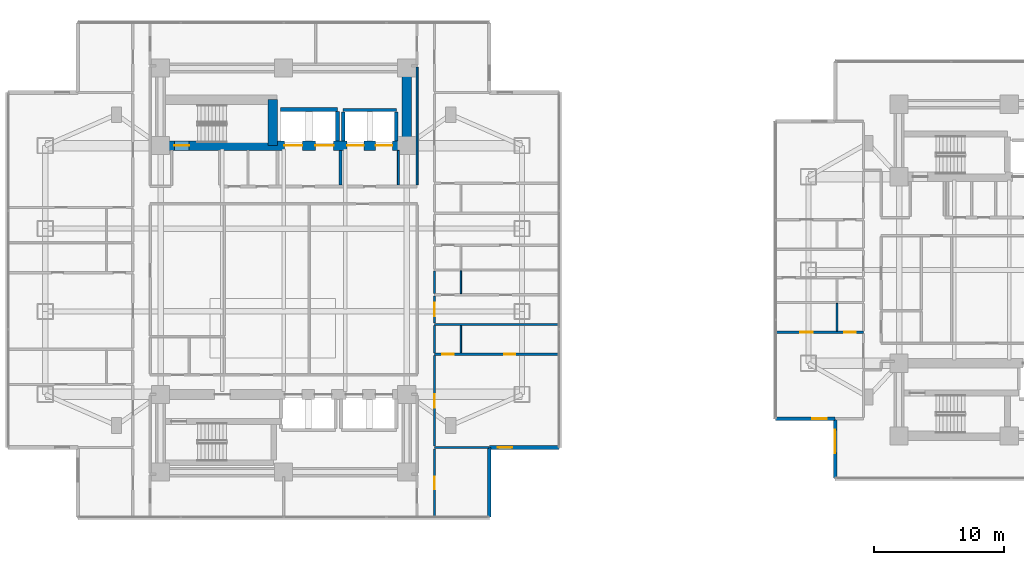
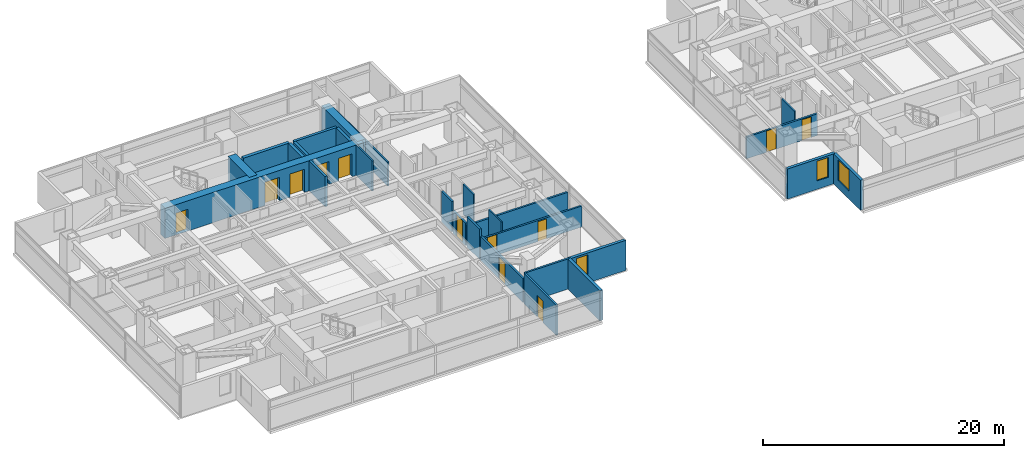
# One storey, part 14 of 26: 27 walls, 12 doors, 3 windows, 15 openings.
"""IFC4 building model written with IfcOpenShell, lengths in metres."""

from ifc_helpers import new_model, si_unit, direction, frame, frame_2d, origin, place, context, subcontext, project, spatial, rectangle, extrude, material, layer, layer_set, type_object, element, fill, save


model = new_model("IFC4")

# Units and contexts
model_context = context("Model", 3, precision=1e-05, world=origin(), true_north=direction((0.0, 1.0)))
body_context = subcontext(model_context, "Body", "Model", "MODEL_VIEW")
ifc_project = project(units=[si_unit("LENGTHUNIT", "METRE"), si_unit("AREAUNIT", "SQUARE_METRE"), si_unit("VOLUMEUNIT", "CUBIC_METRE"), si_unit("PLANEANGLEUNIT", "RADIAN"), si_unit("MASSUNIT", "GRAM", prefix="KILO")], contexts=[model_context])

# Site, building, storey
site_placement = place(None, origin())
site = spatial("IfcSite", under=ifc_project, at=site_placement, CompositionType="ELEMENT")
building_placement = place(site_placement, origin())
building = spatial("IfcBuilding", under=site, at=building_placement, Name="Mirazonda Arch Towers", CompositionType="ELEMENT")
storey_placement = place(building_placement, frame((0.0, 0.0, 25.699951171875)))
storey = spatial("IfcBuildingStorey", under=building, at=storey_placement, Name="L06", CompositionType="ELEMENT", Elevation=25.699951171875)

# Wall
ifc_material_1 = material(Name="Concrete C60/75", Category="concrete")
ifc_layer_1 = layer(ifc_material_1, 0.75, Name="WALL-CORE-750")
ifc_layer_set_1 = layer_set([ifc_layer_1], Name="Concrete C60/75")
wall_type_1 = type_object("IfcWallType", Name="WALL-CORE-750", PredefinedType="SHEAR", material=ifc_layer_set_1)
wall_1_placement = place(storey_placement, frame((30.0, 37.60009765625, 0.0), z_axis=(0.0, 0.0, 1.0), x_axis=(0.0, 1.0, 0.0)))
element("IfcWall", 1, at=wall_1_placement, inside=storey, type_object=wall_type_1, Name="L06 T1N-E Core Shear Wall", PredefinedType="SHEAR", context=body_context, shape_type="SweptSolid", body=[
    extrude(rectangle(XDim=6.0, YDim=0.75, at=frame_2d((3.0, 0.0))), origin(), (0.0, 0.0, 1.0), 3.06005859375),
])

# Wall, openings, doors
wall_2_placement = place(storey_placement, frame((11.0, 37.60009765625, 0.0), z_axis=(0.0, 0.0, 1.0), x_axis=(1.0, 0.0, 0.0)))
wall_2 = element("IfcWall", 2, at=wall_2_placement, inside=storey, type_object=wall_type_1, Name="L06 T1N-S Core Shear Wall", PredefinedType="SHEAR", context=body_context, shape_type="SweptSolid", body=[
    extrude(rectangle(XDim=19.0, YDim=0.75, at=frame_2d((9.5, 0.0))), origin(), (0.0, 0.0, 1.0), 3.06005859375),
])
opening_1_placement = place(wall_2_placement, frame((1.06005859375, 0.0, 0.0)))
opening_1 = element("IfcOpeningElement", 3, at=opening_1_placement, cuts=wall_2, Name="Opening DR-135", PredefinedType="OPENING", context=body_context, shape_type="SweptSolid", body=[
    extrude(rectangle(XDim=1.14990234375, YDim=2.199951171875, at=frame_2d((0.574951171875, 1.10009765625))), frame((0.0, 0.385009765625, 0.0), z_axis=(0.0, -1.0, 0.0), x_axis=(1.0, 0.0, 0.0)), (0.0, 0.0, 1.0), 0.77001953125),
])
opening_2_placement = place(wall_2_placement, frame((9.550048828125, 0.0, 0.0)))
opening_2 = element("IfcOpeningElement", 4, at=opening_2_placement, cuts=wall_2, Name="Opening LD-112", PredefinedType="OPENING", context=body_context, shape_type="SweptSolid", body=[
    extrude(rectangle(XDim=1.39990234375, YDim=2.35009765625, at=frame_2d((0.699951171875, 1.175048828125))), frame((0.0, 0.385009765625, 0.0), z_axis=(0.0, -1.0, 0.0), x_axis=(1.0, 0.0, 0.0)), (0.0, 0.0, 1.0), 0.77001953125),
])
opening_3_placement = place(wall_2_placement, frame((11.949951171875, 0.0, 0.0)))
opening_3 = element("IfcOpeningElement", 5, at=opening_3_placement, cuts=wall_2, Name="Opening LD-112", PredefinedType="OPENING", context=body_context, shape_type="SweptSolid", body=[
    extrude(rectangle(XDim=1.39990234375, YDim=2.35009765625, at=frame_2d((0.699951171875, 1.175048828125))), frame((0.0, 0.385009765625, 0.0), z_axis=(0.0, -1.0, 0.0), x_axis=(1.0, 0.0, 0.0)), (0.0, 0.0, 1.0), 0.77001953125),
])
opening_4_placement = place(wall_2_placement, frame((14.39990234375, 0.0, 0.0)))
opening_4 = element("IfcOpeningElement", 6, at=opening_4_placement, cuts=wall_2, Name="Opening LD-111", PredefinedType="OPENING", context=body_context, shape_type="SweptSolid", body=[
    extrude(rectangle(XDim=1.300048828125, YDim=2.300048828125, at=frame_2d((0.64990234375, 1.14990234375))), frame((0.0, 0.385009765625, 0.0), z_axis=(0.0, -1.0, 0.0), x_axis=(1.0, 0.0, 0.0)), (0.0, 0.0, 1.0), 0.77001953125),
])
opening_5_placement = place(wall_2_placement, frame((16.60009765625, 0.0, 0.0)))
opening_5 = element("IfcOpeningElement", 7, at=opening_5_placement, cuts=wall_2, Name="Opening LD-111", PredefinedType="OPENING", context=body_context, shape_type="SweptSolid", body=[
    extrude(rectangle(XDim=1.300048828125, YDim=2.300048828125, at=frame_2d((0.64990234375, 1.14990234375))), frame((0.0, 0.385009765625, 0.0), z_axis=(0.0, -1.0, 0.0), x_axis=(1.0, 0.0, 0.0)), (0.0, 0.0, 1.0), 0.77001953125),
])
ifc_material_2 = material(Name="Architectural Brushed Steel S355", Category="steel")
door_type_1 = type_object("IfcDoorType", Name="DOOR-LIFT-FFL-1400", OperationType="NOTDEFINED", PredefinedType="DOOR", material=ifc_material_2)
door_1_placement = place(opening_2_placement, origin())
door_1 = element("IfcDoor", 8, at=door_1_placement, inside=storey, type_object=door_type_1, Name="L06 Lift Landing Sliding Door FFL-T1", OperationType="DOUBLE_DOOR_SLIDING", OverallHeight=2.35009765625, OverallWidth=1.39990234375, PredefinedType="DOOR", context=body_context, shape_type="SweptSolid", body=[
    extrude(rectangle(XDim=1.39990234375, YDim=2.35009765625, at=frame_2d((0.699951171875, 1.175048828125))), frame((0.0, 0.02490234375, 0.0), z_axis=(0.0, -1.0, 0.0), x_axis=(1.0, 0.0, 0.0)), (0.0, 0.0, 1.0), 0.050048828125),
])
fill(opening_2, door_1)
door_2_placement = place(opening_3_placement, origin())
door_2 = element("IfcDoor", 9, at=door_2_placement, inside=storey, type_object=door_type_1, Name="L06 Lift Landing Sliding Door SVL-T1", OperationType="DOUBLE_DOOR_SLIDING", OverallHeight=2.35009765625, OverallWidth=1.39990234375, PredefinedType="DOOR", context=body_context, shape_type="SweptSolid", body=[
    extrude(rectangle(XDim=1.39990234375, YDim=2.35009765625, at=frame_2d((0.699951171875, 1.175048828125))), frame((0.0, 0.02490234375, 0.0), z_axis=(0.0, -1.0, 0.0), x_axis=(1.0, 0.0, 0.0)), (0.0, 0.0, 1.0), 0.050048828125),
])
fill(opening_3, door_2)
door_type_2 = type_object("IfcDoorType", Name="DOOR-LIFT-LAND-1300", OperationType="NOTDEFINED", PredefinedType="DOOR", material=ifc_material_2)
door_3_placement = place(opening_4_placement, origin())
door_3 = element("IfcDoor", 10, at=door_3_placement, inside=storey, type_object=door_type_2, Name="L06 Lift Landing Sliding Door PL-T1L1", OperationType="DOUBLE_DOOR_SLIDING", OverallHeight=2.300048828125, OverallWidth=1.300048828125, PredefinedType="DOOR", context=body_context, shape_type="SweptSolid", body=[
    extrude(rectangle(XDim=1.300048828125, YDim=2.300048828125, at=frame_2d((0.64990234375, 1.14990234375))), frame((0.0, 0.02490234375, 0.0), z_axis=(0.0, -1.0, 0.0), x_axis=(1.0, 0.0, 0.0)), (0.0, 0.0, 1.0), 0.050048828125),
])
fill(opening_4, door_3)
door_4_placement = place(opening_5_placement, origin())
door_4 = element("IfcDoor", 11, at=door_4_placement, inside=storey, type_object=door_type_2, Name="L06 Lift Landing Sliding Door PL-T1L2", OperationType="DOUBLE_DOOR_SLIDING", OverallHeight=2.300048828125, OverallWidth=1.300048828125, PredefinedType="DOOR", context=body_context, shape_type="SweptSolid", body=[
    extrude(rectangle(XDim=1.300048828125, YDim=2.300048828125, at=frame_2d((0.64990234375, 1.14990234375))), frame((0.0, 0.02490234375, 0.0), z_axis=(0.0, -1.0, 0.0), x_axis=(1.0, 0.0, 0.0)), (0.0, 0.0, 1.0), 0.050048828125),
])
fill(opening_5, door_4)
door_type_3 = type_object("IfcDoorType", Name="DOOR-STAIR-FD90-1150", OperationType="NOTDEFINED", PredefinedType="DOOR", material=ifc_material_2)
door_5_placement = place(opening_1_placement, origin())
door_5 = element("IfcDoor", 12, at=door_5_placement, inside=storey, type_object=door_type_3, Name="L06 Protected Exit Stair North Door", OperationType="SINGLE_SWING_LEFT", OverallHeight=2.199951171875, OverallWidth=1.14990234375, PredefinedType="DOOR", context=body_context, shape_type="SweptSolid", body=[
    extrude(rectangle(XDim=1.14990234375, YDim=2.199951171875, at=frame_2d((0.574951171875, 1.10009765625))), frame((0.0, 0.02490234375, 0.0), z_axis=(0.0, -1.0, 0.0), x_axis=(1.0, 0.0, 0.0)), (0.0, 0.0, 1.0), 0.050048828125),
])
fill(opening_1, door_5)

# Wall
wall_3_placement = place(storey_placement, frame((19.64990234375, 37.60009765625, 0.0), z_axis=(0.0, 0.0, 1.0), x_axis=(0.0, 1.0, 0.0)))
element("IfcWall", 13, at=wall_3_placement, inside=storey, type_object=wall_type_1, Name="L06 T1N-STE Core Shear Wall", PredefinedType="SHEAR", context=body_context, shape_type="SweptSolid", body=[
    extrude(rectangle(XDim=3.54296875, YDim=0.75, at=frame_2d((1.771484375, 0.0))), origin(), (0.0, 0.0, 1.0), 3.06005859375),
])

# Wall, opening, window
ifc_material_3 = material(Name="Precast Concrete C40/50", Category="concrete")
ifc_layer_2 = layer(ifc_material_3, 0.280029296875, Name="WALL-EXT-WALL-280")
ifc_layer_set_2 = layer_set([ifc_layer_2], Name="Precast Concrete C40/50")
wall_type_2 = type_object("IfcWallType", Name="WALL-EXT-WALL-280", PredefinedType="SOLIDWALL", material=ifc_layer_set_2)
wall_4_placement = place(storey_placement, frame((36.3798828125, 14.302001953125, 0.0), z_axis=(0.0, 0.0, 1.0), x_axis=(1.0, 0.0, 0.0)))
wall_4 = element("IfcWall", 14, at=wall_4_placement, inside=storey, type_object=wall_type_2, Name="L06 T1 Corner Notch Return Wall WL-L06-T1-CSE1", PredefinedType="SOLIDWALL", context=body_context, shape_type="SweptSolid", body=[
    extrude(rectangle(XDim=5.380126953125, YDim=0.280029296875, at=frame_2d((2.68994140625, 0.0))), origin(), (0.0, 0.0, 1.0), 3.0400390625),
])
opening_6_placement = place(wall_4_placement, frame((0.64990234375, 0.0, 0.85009765625)))
opening_6 = element("IfcOpeningElement", 15, at=opening_6_placement, cuts=wall_4, Name="Opening WN-108", PredefinedType="OPENING", context=body_context, shape_type="SweptSolid", body=[
    extrude(rectangle(XDim=1.10009765625, YDim=2.0, at=frame_2d((0.550048828125, 1.0))), frame((0.0, 0.14990234375, 0.0), z_axis=(0.0, -1.0, 0.0), x_axis=(1.0, 0.0, 0.0)), (0.0, 0.0, 1.0), 0.300048828125),
])
ifc_material_4 = material(Name="Insulated Low-E Solar Glass", Category="glass")
window_type_1 = type_object("IfcWindowType", Name="WIN-NOTCH-1100x2000", PartitioningType="SINGLE_PANEL", PredefinedType="WINDOW", material=ifc_material_4)
window_1_placement = place(opening_6_placement, origin())
window_1 = element("IfcWindow", 16, at=window_1_placement, inside=storey, type_object=window_type_1, Name="L06 Punched Facade Window WN-L06-T1-CSE1", OverallHeight=2.0, OverallWidth=1.10009765625, PartitioningType="SINGLE_PANEL", PredefinedType="WINDOW", context=body_context, shape_type="SweptSolid", body=[
    extrude(rectangle(XDim=1.10009765625, YDim=2.0, at=frame_2d((0.550048828125, 1.0))), frame((0.0, 0.030029296875, 0.0), z_axis=(0.0, -1.0, 0.0), x_axis=(1.0, 0.0, 0.0)), (0.0, 0.0, 1.0), 0.06005859375),
])
fill(opening_6, window_1)

# Wall
wall_5_placement = place(storey_placement, frame((36.3798828125, 8.922119140625, 0.0), z_axis=(0.0, 0.0, 1.0), x_axis=(0.0, 1.0, 0.0)))
element("IfcWall", 17, at=wall_5_placement, inside=storey, type_object=wall_type_2, Name="L06 T1 Corner Notch Return Wall WL-L06-T1-CSE2", PredefinedType="SOLIDWALL", context=body_context, shape_type="SweptSolid", body=[
    extrude(rectangle(XDim=5.3798828125, YDim=0.280029296875, at=frame_2d((2.68994140625, 0.0))), origin(), (0.0, 0.0, 1.0), 3.0400390625),
])

# Wall, opening, window
wall_6_placement = place(storey_placement, frame((63.06201171875, 16.5166015625, 0.0), z_axis=(0.0, 0.0, 1.0), x_axis=(0.0, -1.0, 0.0)))
wall_6 = element("IfcWall", 18, at=wall_6_placement, inside=storey, type_object=wall_type_2, Name="L06 T2 Notched SW Corner Wall WL-L06-T2-CSW", PredefinedType="SOLIDWALL", context=body_context, shape_type="SweptSolid", body=[
    extrude(rectangle(XDim=4.579833984375, YDim=0.280029296875, at=frame_2d((2.2900390625, 0.0))), origin(), (0.0, 0.0, 1.0), 3.0400390625),
])
opening_7_placement = place(wall_6_placement, frame((0.85009765625, 0.0, 0.7900390625)))
opening_7 = element("IfcOpeningElement", 19, at=opening_7_placement, cuts=wall_6, Name="Opening WN-116", PredefinedType="OPENING", context=body_context, shape_type="SweptSolid", body=[
    extrude(rectangle(XDim=1.800048828125, YDim=2.10009765625, at=frame_2d((0.89990234375, 1.050048828125))), frame((0.0, 0.14990234375, 0.0), z_axis=(0.0, -1.0, 0.0), x_axis=(1.0, 0.0, 0.0)), (0.0, 0.0, 1.0), 0.300048828125),
])
window_type_2 = type_object("IfcWindowType", Name="WIN-HTL-1800x2100", PartitioningType="SINGLE_PANEL", PredefinedType="WINDOW", material=ifc_material_4)
window_2_placement = place(opening_7_placement, origin())
window_2 = element("IfcWindow", 20, at=window_2_placement, inside=storey, type_object=window_type_2, Name="L06 Punched Facade Window WN-L06-T2-CSW", OverallHeight=2.10009765625, OverallWidth=1.800048828125, PartitioningType="SINGLE_PANEL", PredefinedType="WINDOW", context=body_context, shape_type="SweptSolid", body=[
    extrude(rectangle(XDim=1.800048828125, YDim=2.10009765625, at=frame_2d((0.89990234375, 1.050048828125))), frame((0.0, 0.030029296875, 0.0), z_axis=(0.0, -1.0, 0.0), x_axis=(1.0, 0.0, 0.0)), (0.0, 0.0, 1.0), 0.06005859375),
])
fill(opening_7, window_2)

wall_7_placement = place(storey_placement, frame((58.48193359375, 16.5166015625, 0.0), z_axis=(0.0, 0.0, 1.0), x_axis=(1.0, 0.0, 0.0)))
wall_7 = element("IfcWall", 21, at=wall_7_placement, inside=storey, type_object=wall_type_2, Name="L06 T2 Corner Notch Return Wall WL-L06-T2-CSW2", PredefinedType="SOLIDWALL", context=body_context, shape_type="SweptSolid", body=[
    extrude(rectangle(XDim=4.580078125, YDim=0.280029296875, at=frame_2d((2.2900390625, 0.0))), origin(), (0.0, 0.0, 1.0), 3.0400390625),
])
opening_8_placement = place(wall_7_placement, frame((2.830078125, 0.0, 0.85009765625)))
opening_8 = element("IfcOpeningElement", 22, at=opening_8_placement, cuts=wall_7, Name="Opening WN-108", PredefinedType="OPENING", context=body_context, shape_type="SweptSolid", body=[
    extrude(rectangle(XDim=1.10009765625, YDim=2.0, at=frame_2d((0.550048828125, 1.0))), frame((0.0, 0.14990234375, 0.0), z_axis=(0.0, -1.0, 0.0), x_axis=(1.0, 0.0, 0.0)), (0.0, 0.0, 1.0), 0.300048828125),
])
window_3_placement = place(opening_8_placement, origin())
window_3 = element("IfcWindow", 23, at=window_3_placement, inside=storey, type_object=window_type_1, Name="L06 Punched Facade Window WN-L06-T2-CSW2", OverallHeight=2.0, OverallWidth=1.10009765625, PartitioningType="SINGLE_PANEL", PredefinedType="WINDOW", context=body_context, shape_type="SweptSolid", body=[
    extrude(rectangle(XDim=1.10009765625, YDim=2.0, at=frame_2d((0.550048828125, 1.0))), frame((0.0, 0.030029296875, 0.0), z_axis=(0.0, -1.0, 0.0), x_axis=(1.0, 0.0, 0.0)), (0.0, 0.0, 1.0), 0.06005859375),
])
fill(opening_8, window_3)

# Walls
ifc_material_5 = material(Name="Concrete C40/50", Category="concrete")
ifc_layer_3 = layer(ifc_material_5, 0.219970703125, Name="WALL-FFL-220")
ifc_layer_set_3 = layer_set([ifc_layer_3], Name="Concrete C40/50")
wall_type_3 = type_object("IfcWallType", Name="WALL-FFL-220", PredefinedType="SOLIDWALL", material=ifc_layer_set_3)
wall_8_placement = place(storey_placement, frame((24.875, 34.570068359375, 0.0), z_axis=(0.0, 0.0, 1.0), x_axis=(0.0, 1.0, 0.0)))
element("IfcWall", 24, at=wall_8_placement, inside=storey, type_object=wall_type_3, Name="L06 Interior Partition 096", PredefinedType="SOLIDWALL", context=body_context, shape_type="SweptSolid", body=[
    extrude(rectangle(XDim=2.659912109375, YDim=0.219970703125, at=frame_2d((1.330078125, 0.0))), origin(), (0.0, 0.0, 1.0), 3.06005859375),
])
ifc_material_6 = material(Name="Fire-Rated Gypsum Stud Partition")
ifc_layer_4 = layer(ifc_material_6, 0.14990234375, Name="WALL-PART-CORR-150")
ifc_layer_set_4 = layer_set([ifc_layer_4], Name="Fire-Rated Gypsum Stud Partition")
wall_type_4 = type_object("IfcWallType", Name="WALL-PART-CORR-150", PredefinedType="PARTITIONING", material=ifc_layer_set_4)
wall_9_placement = place(storey_placement, frame((29.35009765625, 34.570068359375, 0.0), z_axis=(0.0, 0.0, 1.0), x_axis=(0.0, 1.0, 0.0)))
element("IfcWall", 25, at=wall_9_placement, inside=storey, type_object=wall_type_4, Name="L06 Interior Partition 099", PredefinedType="PARTITIONING", context=body_context, shape_type="SweptSolid", body=[
    extrude(rectangle(XDim=2.659912109375, YDim=0.14990234375, at=frame_2d((1.330078125, 0.0))), origin(), (0.0, 0.0, 1.0), 3.06005859375),
])
wall_10_placement = place(storey_placement, frame((30.800048828125, 34.570068359375, 0.0), z_axis=(0.0, 0.0, 1.0), x_axis=(0.0, 1.0, 0.0)))
element("IfcWall", 26, at=wall_10_placement, inside=storey, type_object=wall_type_4, Name="L06 Interior Partition 104", PredefinedType="PARTITIONING", context=body_context, shape_type="SweptSolid", body=[
    extrude(rectangle(XDim=9.094970703125, YDim=0.14990234375, at=frame_2d((4.54736328125, 0.0))), origin(), (0.0, 0.0, 1.0), 2.43603515625),
])
ifc_material_7 = material(Name="Fire-Rated Gypsum Twin-Stud Assembly")
ifc_layer_5 = layer(ifc_material_7, 0.179931640625, Name="WALL-PART-DEMISE-180")
ifc_layer_set_5 = layer_set([ifc_layer_5], Name="Fire-Rated Gypsum Twin-Stud Assembly")
wall_type_5 = type_object("IfcWallType", Name="WALL-PART-DEMISE-180", PredefinedType="PARTITIONING", material=ifc_layer_set_5)
wall_11_placement = place(storey_placement, frame((32.139892578125, 14.302001953125, 0.0), z_axis=(0.0, 0.0, 1.0), x_axis=(1.0, 0.0, 0.0)))
element("IfcWall", 27, at=wall_11_placement, inside=storey, type_object=wall_type_5, Name="L06 Interior Partition 005", PredefinedType="PARTITIONING", context=body_context, shape_type="SweptSolid", body=[
    extrude(rectangle(XDim=4.22021484375, YDim=0.179931640625, at=frame_2d((2.110107421875, 0.0))), origin(), (0.0, 0.0, 1.0), 3.06005859375),
])

# Wall, openings, doors
wall_12_placement = place(storey_placement, frame((32.139892578125, 21.4990234375, 0.0), z_axis=(0.0, 0.0, 1.0), x_axis=(1.0, 0.0, 0.0)))
wall_12 = element("IfcWall", 28, at=wall_12_placement, inside=storey, type_object=wall_type_5, Name="L06 Interior Partition 021", PredefinedType="PARTITIONING", context=body_context, shape_type="SweptSolid", body=[
    extrude(rectangle(XDim=9.6201171875, YDim=0.179931640625, at=frame_2d((4.81005859375, 0.0))), origin(), (0.0, 0.0, 1.0), 2.125),
])
opening_9_placement = place(wall_12_placement, frame((5.385009765625, 0.0, 0.0)))
opening_9 = element("IfcOpeningElement", 29, at=opening_9_placement, cuts=wall_12, Name="Opening DR-128", PredefinedType="OPENING", context=body_context, shape_type="SweptSolid", body=[
    extrude(rectangle(XDim=0.85009765625, YDim=2.010009765625, at=frame_2d((0.425048828125, 1.0048828125))), frame((0.0, 0.099853515625, 0.0), z_axis=(0.0, -1.0, 0.0), x_axis=(1.0, 0.0, 0.0)), (0.0, 0.0, 1.0), 0.199951171875),
])
opening_10_placement = place(wall_12_placement, frame((0.590087890625, 0.0, 0.0)))
opening_10 = element("IfcOpeningElement", 30, at=opening_10_placement, cuts=wall_12, Name="Opening DR-120", PredefinedType="OPENING", context=body_context, shape_type="SweptSolid", body=[
    extrude(rectangle(XDim=0.89990234375, YDim=2.10009765625, at=frame_2d((0.449951171875, 1.050048828125))), frame((0.0, 0.099853515625, 0.0), z_axis=(0.0, -1.0, 0.0), x_axis=(1.0, 0.0, 0.0)), (0.0, 0.0, 1.0), 0.199951171875),
])
door_type_4 = type_object("IfcDoorType", Name="DOOR-RISER-FD60-850", OperationType="NOTDEFINED", PredefinedType="DOOR", material=ifc_material_2)
door_6_placement = place(opening_9_placement, origin())
door_6 = element("IfcDoor", 31, at=door_6_placement, inside=storey, type_object=door_type_4, Name="L06 Suite Bedroom 1 Door", OperationType="SINGLE_SWING_LEFT", OverallHeight=2.010009765625, OverallWidth=0.85009765625, PredefinedType="DOOR", context=body_context, shape_type="SweptSolid", body=[
    extrude(rectangle(XDim=0.85009765625, YDim=2.010009765625, at=frame_2d((0.425048828125, 1.0048828125))), frame((0.0, 0.02490234375, 0.0), z_axis=(0.0, -1.0, 0.0), x_axis=(1.0, 0.0, 0.0)), (0.0, 0.0, 1.0), 0.050048828125),
])
fill(opening_9, door_6)
door_type_5 = type_object("IfcDoorType", Name="DOOR-WC-900", OperationType="NOTDEFINED", PredefinedType="DOOR", material=ifc_material_2)
door_7_placement = place(opening_10_placement, origin())
door_7 = element("IfcDoor", 32, at=door_7_placement, inside=storey, type_object=door_type_5, Name="L06 Suite En-Suite Bathroom 1 Door", OperationType="SINGLE_SWING_RIGHT", OverallHeight=2.10009765625, OverallWidth=0.89990234375, PredefinedType="DOOR", context=body_context, shape_type="SweptSolid", body=[
    extrude(rectangle(XDim=0.89990234375, YDim=2.10009765625, at=frame_2d((0.449951171875, 1.050048828125))), frame((0.0, 0.02490234375, 0.0), z_axis=(0.0, -1.0, 0.0), x_axis=(1.0, 0.0, 0.0)), (0.0, 0.0, 1.0), 0.050048828125),
])
fill(opening_10, door_7)

wall_13_placement = place(storey_placement, frame((58.48193359375, 23.19189453125, 0.0), z_axis=(0.0, 0.0, 1.0), x_axis=(1.0, 0.0, 0.0)))
wall_13 = element("IfcWall", 33, at=wall_13_placement, inside=storey, type_object=wall_type_5, Name="L06 Interior Partition 025", PredefinedType="PARTITIONING", context=body_context, shape_type="SweptSolid", body=[
    extrude(rectangle(XDim=6.76806640625, YDim=0.179931640625, at=frame_2d((3.384033203125, 0.0))), origin(), (0.0, 0.0, 1.0), 2.196044921875),
])
opening_11_placement = place(wall_13_placement, frame((1.908935546875, 0.0, 0.0)))
opening_11 = element("IfcOpeningElement", 34, at=opening_11_placement, cuts=wall_13, Name="Opening DR-104", PredefinedType="OPENING", context=body_context, shape_type="SweptSolid", body=[
    extrude(rectangle(XDim=0.949951171875, YDim=2.14990234375, at=frame_2d((0.47509765625, 1.074951171875))), frame((0.0, 0.099853515625, 0.0), z_axis=(0.0, -1.0, 0.0), x_axis=(1.0, 0.0, 0.0)), (0.0, 0.0, 1.0), 0.199951171875),
])
opening_12_placement = place(wall_13_placement, frame((5.278076171875, 0.0, 0.0)))
opening_12 = element("IfcOpeningElement", 35, at=opening_12_placement, cuts=wall_13, Name="Opening DR-120", PredefinedType="OPENING", context=body_context, shape_type="SweptSolid", body=[
    extrude(rectangle(XDim=0.89990234375, YDim=2.10009765625, at=frame_2d((0.449951171875, 1.050048828125))), frame((0.0, 0.099853515625, 0.0), z_axis=(0.0, -1.0, 0.0), x_axis=(1.0, 0.0, 0.0)), (0.0, 0.0, 1.0), 0.199951171875),
])
door_type_6 = type_object("IfcDoorType", Name="DOOR-ROOM-950", OperationType="NOTDEFINED", PredefinedType="DOOR", material=ifc_material_2)
door_8_placement = place(opening_11_placement, origin())
door_8 = element("IfcDoor", 36, at=door_8_placement, inside=storey, type_object=door_type_6, Name="L06 Guestroom Study 1 Door", OperationType="SINGLE_SWING_RIGHT", OverallHeight=2.14990234375, OverallWidth=0.949951171875, PredefinedType="DOOR", context=body_context, shape_type="SweptSolid", body=[
    extrude(rectangle(XDim=0.949951171875, YDim=2.14990234375, at=frame_2d((0.47509765625, 1.074951171875))), frame((0.0, 0.02490234375, 0.0), z_axis=(0.0, -1.0, 0.0), x_axis=(1.0, 0.0, 0.0)), (0.0, 0.0, 1.0), 0.050048828125),
])
fill(opening_11, door_8)
door_9_placement = place(opening_12_placement, origin())
door_9 = element("IfcDoor", 37, at=door_9_placement, inside=storey, type_object=door_type_5, Name="L06 En-Suite Bathroom 1 Door", OperationType="SINGLE_SWING_LEFT", OverallHeight=2.10009765625, OverallWidth=0.89990234375, PredefinedType="DOOR", context=body_context, shape_type="SweptSolid", body=[
    extrude(rectangle(XDim=0.89990234375, YDim=2.10009765625, at=frame_2d((0.449951171875, 1.050048828125))), frame((0.0, 0.02490234375, 0.0), z_axis=(0.0, -1.0, 0.0), x_axis=(1.0, 0.0, 0.0)), (0.0, 0.0, 1.0), 0.050048828125),
])
fill(opening_12, door_9)

# Wall
wall_14_placement = place(storey_placement, frame((32.139892578125, 23.799072265625, 0.0), z_axis=(0.0, 0.0, 1.0), x_axis=(1.0, 0.0, 0.0)))
element("IfcWall", 38, at=wall_14_placement, inside=storey, type_object=wall_type_5, Name="L06 Interior Partition 026", PredefinedType="PARTITIONING", context=body_context, shape_type="SweptSolid", body=[
    extrude(rectangle(XDim=9.6201171875, YDim=0.179931640625, at=frame_2d((4.81005859375, 0.0))), origin(), (0.0, 0.0, 1.0), 2.125),
])

# Wall, opening, door
wall_15_placement = place(storey_placement, frame((32.139892578125, 8.922119140625, 0.0), z_axis=(0.0, 0.0, 1.0), x_axis=(0.0, 1.0, 0.0)))
wall_15 = element("IfcWall", 39, at=wall_15_placement, inside=storey, type_object=wall_type_5, Name="L06 Interior Partition 106", PredefinedType="PARTITIONING", context=body_context, shape_type="SweptSolid", body=[
    extrude(rectangle(XDim=5.27978515625, YDim=0.179931640625, at=frame_2d((2.639892578125, 0.0))), origin(), (0.0, 0.0, 1.0), 3.06005859375),
])
opening_13_placement = place(wall_15_placement, frame((2.1650390625, 0.0, 0.0)))
opening_13 = element("IfcOpeningElement", 40, at=opening_13_placement, cuts=wall_15, Name="Opening DR-104", PredefinedType="OPENING", context=body_context, shape_type="SweptSolid", body=[
    extrude(rectangle(XDim=0.949951171875, YDim=2.14990234375, at=frame_2d((0.47509765625, 1.074951171875))), frame((0.0, 0.099853515625, 0.0), z_axis=(0.0, -1.0, 0.0), x_axis=(1.0, 0.0, 0.0)), (0.0, 0.0, 1.0), 0.199951171875),
])
door_10_placement = place(opening_13_placement, origin())
door_10 = element("IfcDoor", 41, at=door_10_placement, inside=storey, type_object=door_type_6, Name="L06 South Horizon Lounge Alcove East Door", OperationType="SINGLE_SWING_LEFT", OverallHeight=2.14990234375, OverallWidth=0.949951171875, PredefinedType="DOOR", context=body_context, shape_type="SweptSolid", body=[
    extrude(rectangle(XDim=0.949951171875, YDim=2.14990234375, at=frame_2d((0.47509765625, 1.074951171875))), frame((0.0, 0.02490234375, 0.0), z_axis=(0.0, -1.0, 0.0), x_axis=(1.0, 0.0, 0.0)), (0.0, 0.0, 1.0), 0.050048828125),
])
fill(opening_13, door_10)

wall_16_placement = place(storey_placement, frame((32.139892578125, 14.402099609375, 0.0), z_axis=(0.0, 0.0, 1.0), x_axis=(0.0, 1.0, 0.0)))
wall_16 = element("IfcWall", 42, at=wall_16_placement, inside=storey, type_object=wall_type_5, Name="L06 Interior Partition 107", PredefinedType="PARTITIONING", context=body_context, shape_type="SweptSolid", body=[
    extrude(rectangle(XDim=6.996826171875, YDim=0.179931640625, at=frame_2d((3.49853515625, 0.0))), origin(), (0.0, 0.0, 1.0), 2.43603515625),
])
opening_14_placement = place(wall_16_placement, frame((2.973388671875, 0.0, 0.0)))
opening_14 = element("IfcOpeningElement", 43, at=opening_14_placement, cuts=wall_16, Name="Opening DR-121", PredefinedType="OPENING", context=body_context, shape_type="SweptSolid", body=[
    extrude(rectangle(XDim=1.050048828125, YDim=2.199951171875, at=frame_2d((0.52490234375, 1.10009765625))), frame((0.0, 0.099853515625, 0.0), z_axis=(0.0, -1.0, 0.0), x_axis=(1.0, 0.0, 0.0)), (0.0, 0.0, 1.0), 0.199951171875),
])
door_type_7 = type_object("IfcDoorType", Name="DOOR-SUITE-FD60-1050", OperationType="NOTDEFINED", PredefinedType="DOOR", material=ifc_material_2)
door_11_placement = place(opening_14_placement, origin())
door_11 = element("IfcDoor", 44, at=door_11_placement, inside=storey, type_object=door_type_7, Name="L06 Panoramic Suite Salon 1 Door", OperationType="SINGLE_SWING_RIGHT", OverallHeight=2.199951171875, OverallWidth=1.050048828125, PredefinedType="DOOR", context=body_context, shape_type="SweptSolid", body=[
    extrude(rectangle(XDim=1.050048828125, YDim=2.199951171875, at=frame_2d((0.52490234375, 1.10009765625))), frame((0.0, 0.02490234375, 0.0), z_axis=(0.0, -1.0, 0.0), x_axis=(1.0, 0.0, 0.0)), (0.0, 0.0, 1.0), 0.050048828125),
])
fill(opening_14, door_11)

# Wall
wall_17_placement = place(storey_placement, frame((32.139892578125, 21.59912109375, 0.0), z_axis=(0.0, 0.0, 1.0), x_axis=(0.0, 1.0, 0.0)))
element("IfcWall", 45, at=wall_17_placement, inside=storey, type_object=wall_type_5, Name="L06 Interior Partition 108", PredefinedType="PARTITIONING", context=body_context, shape_type="SweptSolid", body=[
    extrude(rectangle(XDim=2.099853515625, YDim=0.179931640625, at=frame_2d((1.0498046875, 0.0))), origin(), (0.0, 0.0, 1.0), 3.06005859375),
])

# Wall, opening, door
wall_18_placement = place(storey_placement, frame((32.139892578125, 23.89892578125, 0.0), z_axis=(0.0, 0.0, 1.0), x_axis=(0.0, 1.0, 0.0)))
wall_18 = element("IfcWall", 46, at=wall_18_placement, inside=storey, type_object=wall_type_5, Name="L06 Interior Partition 109", PredefinedType="PARTITIONING", context=body_context, shape_type="SweptSolid", body=[
    extrude(rectangle(XDim=2.0810546875, YDim=0.179931640625, at=frame_2d((1.04052734375, 0.0))), origin(), (0.0, 0.0, 1.0), 2.279052734375),
])
opening_15_placement = place(wall_18_placement, frame((0.515380859375, 0.0, 0.0)))
opening_15 = element("IfcOpeningElement", 47, at=opening_15_placement, cuts=wall_18, Name="Opening DR-121", PredefinedType="OPENING", context=body_context, shape_type="SweptSolid", body=[
    extrude(rectangle(XDim=1.050048828125, YDim=2.199951171875, at=frame_2d((0.52490234375, 1.10009765625))), frame((0.0, 0.099853515625, 0.0), z_axis=(0.0, -1.0, 0.0), x_axis=(1.0, 0.0, 0.0)), (0.0, 0.0, 1.0), 0.199951171875),
])
door_12_placement = place(opening_15_placement, origin())
door_12 = element("IfcDoor", 48, at=door_12_placement, inside=storey, type_object=door_type_7, Name="L06 Twin Hotel Guestroom 2 Door", OperationType="SINGLE_SWING_LEFT", OverallHeight=2.199951171875, OverallWidth=1.050048828125, PredefinedType="DOOR", context=body_context, shape_type="SweptSolid", body=[
    extrude(rectangle(XDim=1.050048828125, YDim=2.199951171875, at=frame_2d((0.52490234375, 1.10009765625))), frame((0.0, 0.02490234375, 0.0), z_axis=(0.0, -1.0, 0.0), x_axis=(1.0, 0.0, 0.0)), (0.0, 0.0, 1.0), 0.050048828125),
])
fill(opening_15, door_12)

# Walls
wall_19_placement = place(storey_placement, frame((32.139892578125, 26.179931640625, 0.0), z_axis=(0.0, 0.0, 1.0), x_axis=(0.0, 1.0, 0.0)))
element("IfcWall", 49, at=wall_19_placement, inside=storey, type_object=wall_type_5, Name="L06 Interior Partition 110", PredefinedType="PARTITIONING", context=body_context, shape_type="SweptSolid", body=[
    extrude(rectangle(XDim=1.74755859375, YDim=0.179931640625, at=frame_2d((0.873779296875, 0.0))), origin(), (0.0, 0.0, 1.0), 3.06005859375),
])
ifc_material_8 = material(Name="Acoustic Fire-Rated Gypsum Partition")
ifc_layer_6 = layer(ifc_material_8, 0.125, Name="WALL-PART-UNIT-125")
ifc_layer_set_6 = layer_set([ifc_layer_6], Name="Acoustic Fire-Rated Gypsum Partition")
wall_type_6 = type_object("IfcWallType", Name="WALL-PART-UNIT-125", PredefinedType="PARTITIONING", material=ifc_layer_set_6)
wall_20_placement = place(storey_placement, frame((34.179931640625, 21.59912109375, 0.0), z_axis=(0.0, 0.0, 1.0), x_axis=(0.0, 1.0, 0.0)))
element("IfcWall", 50, at=wall_20_placement, inside=storey, type_object=wall_type_6, Name="L06 Interior Partition 116", PredefinedType="PARTITIONING", context=body_context, shape_type="SweptSolid", body=[
    extrude(rectangle(XDim=2.099853515625, YDim=0.125, at=frame_2d((1.0498046875, 0.0))), origin(), (0.0, 0.0, 1.0), 3.06005859375),
])
wall_21_placement = place(storey_placement, frame((34.179931640625, 26.179931640625, 0.0), z_axis=(0.0, 0.0, 1.0), x_axis=(0.0, 1.0, 0.0)))
element("IfcWall", 51, at=wall_21_placement, inside=storey, type_object=wall_type_6, Name="L06 Interior Partition 117", PredefinedType="PARTITIONING", context=body_context, shape_type="SweptSolid", body=[
    extrude(rectangle(XDim=1.74755859375, YDim=0.125, at=frame_2d((0.873779296875, 0.0))), origin(), (0.0, 0.0, 1.0), 3.06005859375),
])
wall_22_placement = place(storey_placement, frame((63.2099609375, 23.2919921875, 0.0), z_axis=(0.0, 0.0, 1.0), x_axis=(0.0, 1.0, 0.0)))
element("IfcWall", 52, at=wall_22_placement, inside=storey, type_object=wall_type_6, Name="L06 Interior Partition 120", PredefinedType="PARTITIONING", context=body_context, shape_type="SweptSolid", body=[
    extrude(rectangle(XDim=2.12744140625, YDim=0.125, at=frame_2d((1.063720703125, 0.0))), origin(), (0.0, 0.0, 1.0), 3.06005859375),
])
ifc_layer_7 = layer(ifc_material_5, 0.25, Name="WALL-SHAFT-250")
ifc_layer_set_7 = layer_set([ifc_layer_7], Name="Concrete C40/50")
wall_type_7 = type_object("IfcWallType", Name="WALL-SHAFT-250", PredefinedType="SOLIDWALL", material=ifc_layer_set_7)
wall_23_placement = place(storey_placement, frame((25.10009765625, 40.35009765625, 0.0), z_axis=(0.0, 0.0, 1.0), x_axis=(1.0, 0.0, 0.0)))
element("IfcWall", 53, at=wall_23_placement, inside=storey, type_object=wall_type_7, Name="L06 Interior Partition 057", PredefinedType="SOLIDWALL", context=body_context, shape_type="SweptSolid", body=[
    extrude(rectangle(XDim=4.099853515625, YDim=0.25, at=frame_2d((2.0498046875, 0.0))), origin(), (0.0, 0.0, 1.0), 3.06005859375),
])
for number, where, z_axis, x_axis, name in (
    (54, (25.10009765625, 37.969970703125, 0.0), (0.0, 0.0, 1.0), (0.0, 1.0, 0.0), "L06 Interior Partition 097"),
    (55, (29.199951171875, 37.969970703125, 0.0), (0.0, 0.0, 1.0), (0.0, 1.0, 0.0), "L06 Interior Partition 100"),
):
    element("IfcWall", number, at=place(storey_placement, frame(where, z_axis=z_axis, x_axis=x_axis)), inside=storey, type_object=wall_type_7, Name=name, PredefinedType="SOLIDWALL", context=body_context, shape_type="SweptSolid", body=[
        extrude(rectangle(XDim=2.2451171875, YDim=0.25, at=frame_2d((1.12255859375, 0.0))), origin(), (0.0, 0.0, 1.0), 3.06005859375),
    ])
ifc_material_9 = material(Name="Concrete C50/60", Category="concrete")
ifc_layer_8 = layer(ifc_material_9, 0.300048828125, Name="WALL-SHAFT-300")
ifc_layer_set_8 = layer_set([ifc_layer_8], Name="Concrete C50/60")
wall_type_8 = type_object("IfcWallType", Name="WALL-SHAFT-300", PredefinedType="SOLIDWALL", material=ifc_layer_set_8)
wall_24_placement = place(storey_placement, frame((20.25, 40.39990234375, 0.0), z_axis=(0.0, 0.0, 1.0), x_axis=(1.0, 0.0, 0.0)))
element("IfcWall", 56, at=wall_24_placement, inside=storey, type_object=wall_type_8, Name="L06 Interior Partition 058", PredefinedType="SOLIDWALL", context=body_context, shape_type="SweptSolid", body=[
    extrude(rectangle(XDim=4.39990234375, YDim=0.300048828125, at=frame_2d((2.199951171875, 0.0))), origin(), (0.0, 0.0, 1.0), 3.06005859375),
])
wall_25_placement = place(storey_placement, frame((24.64990234375, 37.969970703125, 0.0), z_axis=(0.0, 0.0, 1.0), x_axis=(0.0, 1.0, 0.0)))
element("IfcWall", 57, at=wall_25_placement, inside=storey, type_object=wall_type_8, Name="L06 Interior Partition 094", PredefinedType="SOLIDWALL", context=body_context, shape_type="SweptSolid", body=[
    extrude(rectangle(XDim=2.27001953125, YDim=0.300048828125, at=frame_2d((1.135009765625, 0.0))), origin(), (0.0, 0.0, 1.0), 3.06005859375),
])

save(model, "model.ifc")
